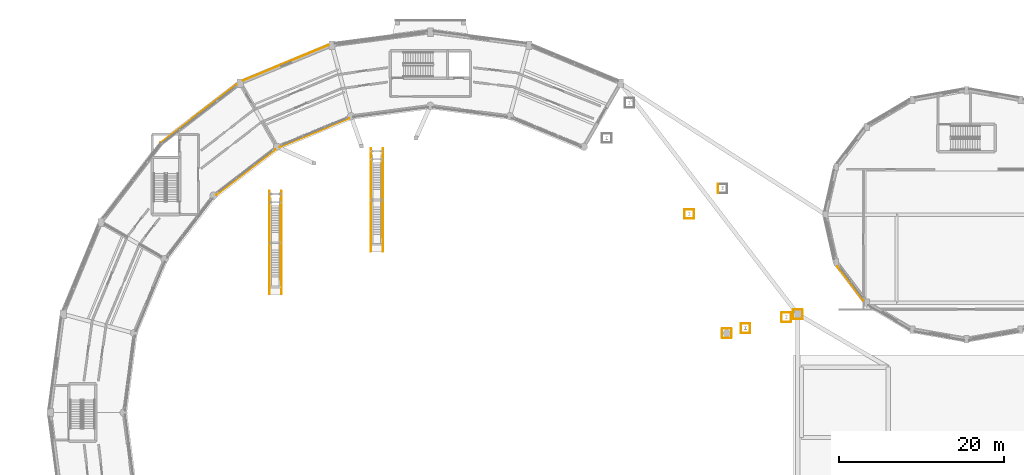
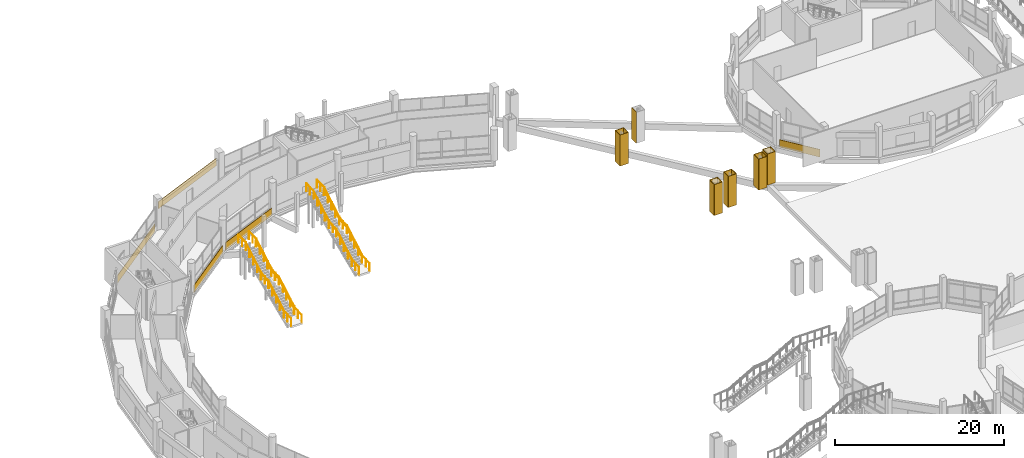
# One storey, part 122 of 129: 26 coverings, 8 railings.
"""IFC4 building model written with IfcOpenShell, lengths in metres."""

from ifc_helpers import new_model, si_unit, direction, frame, frame_2d, origin, origin_2d, place, context, subcontext, project, spatial, rectangle, circle, extrude, material, layer, layer_set, type_object, element, save


model = new_model("IFC4")

# Units and contexts
model_context = context("Model", 3, precision=1e-05, world=origin(), true_north=direction((0.0, 1.0)))
body_context = subcontext(model_context, "Body", "Model", "MODEL_VIEW")
ifc_project = project(units=[si_unit("LENGTHUNIT", "METRE"), si_unit("AREAUNIT", "SQUARE_METRE"), si_unit("VOLUMEUNIT", "CUBIC_METRE"), si_unit("PLANEANGLEUNIT", "RADIAN"), si_unit("MASSUNIT", "GRAM", prefix="KILO")], contexts=[model_context])

# Site, building, storey
site_placement = place(None, origin())
site = spatial("IfcSite", under=ifc_project, at=site_placement, CompositionType="ELEMENT")
building_placement = place(site_placement, origin())
building = spatial("IfcBuilding", under=site, at=building_placement, Name="Vespera Passage Community Centre", CompositionType="ELEMENT")
storey_placement = place(building_placement, origin())
storey = spatial("IfcBuildingStorey", under=building, at=storey_placement, Name="L00", CompositionType="ELEMENT", Elevation=0.0)

# Coverings
ifc_material_1 = material(Name="Precast concrete f'c 40 MPa", Category="concrete")
ifc_layer = layer(ifc_material_1, 0.06005859375)
ifc_layer_set = layer_set([ifc_layer], Name="Precast concrete f'c 40 MPa")
covering_type = type_object("IfcCoveringType", Name="COV-CLAD-60E", PredefinedType="CLADDING", material=ifc_layer_set)
covering_1_placement = place(storey_placement, frame((121.96923828125, 76.87158203125, 0.0), z_axis=(0.0, 0.0, 1.0), x_axis=(1.0, 0.0, 0.0)))
element("IfcCovering", 1, at=covering_1_placement, inside=storey, type_object=covering_type, Name="Pylon 1.0 O L00 White Architectural Casing 1", PredefinedType="CLADDING", context=body_context, shape_type="SweptSolid", body=[
    extrude(rectangle(XDim=1.119873046875, YDim=0.06005859375, at=frame_2d((0.56005859375, 0.0))), origin(), (0.0, 0.0, 1.0), 4.5),
])
covering_2_placement = place(storey_placement, frame((123.089111328125, 76.87158203125, 0.0), z_axis=(0.0, 0.0, 1.0), x_axis=(0.0, 1.0, 0.0)))
element("IfcCovering", 2, at=covering_2_placement, inside=storey, type_object=covering_type, Name="Pylon 1.0 O L00 White Architectural Casing 2", PredefinedType="CLADDING", context=body_context, shape_type="SweptSolid", body=[
    extrude(rectangle(XDim=1.1201171875, YDim=0.06005859375, at=frame_2d((0.56005859375, 0.0))), origin(), (0.0, 0.0, 1.0), 4.5),
])
covering_3_placement = place(storey_placement, frame((123.089111328125, 77.99169921875, 0.0), z_axis=(0.0, 0.0, 1.0), x_axis=(-1.0, 0.0, 0.0)))
element("IfcCovering", 3, at=covering_3_placement, inside=storey, type_object=covering_type, Name="Pylon 1.0 O L00 White Architectural Casing 3", PredefinedType="CLADDING", context=body_context, shape_type="SweptSolid", body=[
    extrude(rectangle(XDim=1.119873046875, YDim=0.06005859375, at=frame_2d((0.56005859375, 0.0))), origin(), (0.0, 0.0, 1.0), 4.5),
])
for number, where, z_axis, x_axis, name in (
    (4, (121.96923828125, 77.99169921875, 0.0), (0.0, 0.0, 1.0), (0.0, -1.0, 0.0), "Pylon 1.0 O L00 White Architectural Casing 4"),
    (5, (113.372314453125, 74.568115234375, 0.0), (0.0, 0.0, 1.0), (1.0, 0.0, 0.0), "Pylon 1.0 I L00 White Architectural Casing 1"),
):
    element("IfcCovering", number, at=place(storey_placement, frame(where, z_axis=z_axis, x_axis=x_axis)), inside=storey, type_object=covering_type, Name=name, PredefinedType="CLADDING", context=body_context, shape_type="SweptSolid", body=[
        extrude(rectangle(XDim=1.1201171875, YDim=0.06005859375, at=frame_2d((0.56005859375, 0.0))), origin(), (0.0, 0.0, 1.0), 4.5),
    ])
covering_4_placement = place(storey_placement, frame((114.492431640625, 74.568115234375, 0.0), z_axis=(0.0, 0.0, 1.0), x_axis=(0.0, 1.0, 0.0)))
element("IfcCovering", 6, at=covering_4_placement, inside=storey, type_object=covering_type, Name="Pylon 1.0 I L00 White Architectural Casing 2", PredefinedType="CLADDING", context=body_context, shape_type="SweptSolid", body=[
    extrude(rectangle(XDim=1.119873046875, YDim=0.06005859375, at=frame_2d((0.56005859375, 0.0))), origin(), (0.0, 0.0, 1.0), 4.5),
])
covering_5_placement = place(storey_placement, frame((114.492431640625, 75.68798828125, 0.0), z_axis=(0.0, 0.0, 1.0), x_axis=(-1.0, 0.0, 0.0)))
element("IfcCovering", 7, at=covering_5_placement, inside=storey, type_object=covering_type, Name="Pylon 1.0 I L00 White Architectural Casing 3", PredefinedType="CLADDING", context=body_context, shape_type="SweptSolid", body=[
    extrude(rectangle(XDim=1.1201171875, YDim=0.06005859375, at=frame_2d((0.56005859375, 0.0))), origin(), (0.0, 0.0, 1.0), 4.5),
])
covering_6_placement = place(storey_placement, frame((113.372314453125, 75.68798828125, 0.0), z_axis=(0.0, 0.0, 1.0), x_axis=(0.0, -1.0, 0.0)))
element("IfcCovering", 8, at=covering_6_placement, inside=storey, type_object=covering_type, Name="Pylon 1.0 I L00 White Architectural Casing 4", PredefinedType="CLADDING", context=body_context, shape_type="SweptSolid", body=[
    extrude(rectangle(XDim=1.119873046875, YDim=0.06005859375, at=frame_2d((0.56005859375, 0.0))), origin(), (0.0, 0.0, 1.0), 4.5),
])
covering_7_placement = place(storey_placement, frame((120.568603515625, 76.496337890625, 0.0), z_axis=(0.0, 0.0, 1.0), x_axis=(1.0, 0.0, 0.0)))
element("IfcCovering", 9, at=covering_7_placement, inside=storey, type_object=covering_type, Name="Pylon 1.0 TO L00 White Architectural Casing 1", PredefinedType="CLADDING", context=body_context, shape_type="SweptSolid", body=[
    extrude(rectangle(XDim=1.1201171875, YDim=0.06005859375, at=frame_2d((0.56005859375, 0.0))), origin(), (0.0, 0.0, 1.0), 4.5),
])
covering_8_placement = place(storey_placement, frame((121.688720703125, 76.496337890625, 0.0), z_axis=(0.0, 0.0, 1.0), x_axis=(0.0, 1.0, 0.0)))
element("IfcCovering", 10, at=covering_8_placement, inside=storey, type_object=covering_type, Name="Pylon 1.0 TO L00 White Architectural Casing 2", PredefinedType="CLADDING", context=body_context, shape_type="SweptSolid", body=[
    extrude(rectangle(XDim=1.119873046875, YDim=0.06005859375, at=frame_2d((0.56005859375, 0.0))), origin(), (0.0, 0.0, 1.0), 4.5),
])
covering_9_placement = place(storey_placement, frame((121.688720703125, 77.6162109375, 0.0), z_axis=(0.0, 0.0, 1.0), x_axis=(-1.0, 0.0, 0.0)))
element("IfcCovering", 11, at=covering_9_placement, inside=storey, type_object=covering_type, Name="Pylon 1.0 TO L00 White Architectural Casing 3", PredefinedType="CLADDING", context=body_context, shape_type="SweptSolid", body=[
    extrude(rectangle(XDim=1.1201171875, YDim=0.06005859375, at=frame_2d((0.56005859375, 0.0))), origin(), (0.0, 0.0, 1.0), 4.5),
])
covering_10_placement = place(storey_placement, frame((120.568603515625, 77.6162109375, 0.0), z_axis=(0.0, 0.0, 1.0), x_axis=(0.0, -1.0, 0.0)))
element("IfcCovering", 12, at=covering_10_placement, inside=storey, type_object=covering_type, Name="Pylon 1.0 TO L00 White Architectural Casing 4", PredefinedType="CLADDING", context=body_context, shape_type="SweptSolid", body=[
    extrude(rectangle(XDim=1.119873046875, YDim=0.06005859375, at=frame_2d((0.56005859375, 0.0))), origin(), (0.0, 0.0, 1.0), 4.5),
])
for number, where, z_axis, x_axis, name in (
    (13, (115.642333984375, 75.17626953125, 0.0), (0.0, 0.0, 1.0), (1.0, 0.0, 0.0), "Pylon 1.0 TI L00 White Architectural Casing 1"),
    (14, (116.762451171875, 75.17626953125, 0.0), (0.0, 0.0, 1.0), (0.0, 1.0, 0.0), "Pylon 1.0 TI L00 White Architectural Casing 2"),
    (15, (116.762451171875, 76.29638671875, 0.0), (0.0, 0.0, 1.0), (-1.0, 0.0, 0.0), "Pylon 1.0 TI L00 White Architectural Casing 3"),
    (16, (115.642333984375, 76.29638671875, 0.0), (0.0, 0.0, 1.0), (0.0, -1.0, 0.0), "Pylon 1.0 TI L00 White Architectural Casing 4"),
    (17, (112.86328125, 93.2412109375, 0.0), (0.0, 0.0, 1.0), (0.0, -1.0, 0.0), "Pylon 2.5 TO L00 White Architectural Casing 4"),
):
    element("IfcCovering", number, at=place(storey_placement, frame(where, z_axis=z_axis, x_axis=x_axis)), inside=storey, type_object=covering_type, Name=name, PredefinedType="CLADDING", context=body_context, shape_type="SweptSolid", body=[
        extrude(rectangle(XDim=1.1201171875, YDim=0.06005859375, at=frame_2d((0.56005859375, 0.0))), origin(), (0.0, 0.0, 1.0), 4.5),
    ])
for number, where, z_axis, x_axis, name in (
    (18, (108.817138671875, 89.0166015625, 0.0), (0.0, 0.0, 1.0), (1.0, 0.0, 0.0), "Pylon 2.5 TI L00 White Architectural Casing 1"),
    (19, (109.93701171875, 89.0166015625, 0.0), (0.0, 0.0, 1.0), (0.0, 1.0, 0.0), "Pylon 2.5 TI L00 White Architectural Casing 2"),
    (20, (109.93701171875, 90.136474609375, 0.0), (0.0, 0.0, 1.0), (-1.0, 0.0, 0.0), "Pylon 2.5 TI L00 White Architectural Casing 3"),
    (21, (108.817138671875, 90.136474609375, 0.0), (0.0, 0.0, 1.0), (0.0, -1.0, 0.0), "Pylon 2.5 TI L00 White Architectural Casing 4"),
):
    element("IfcCovering", number, at=place(storey_placement, frame(where, z_axis=z_axis, x_axis=x_axis)), inside=storey, type_object=covering_type, Name=name, PredefinedType="CLADDING", context=body_context, shape_type="SweptSolid", body=[
        extrude(rectangle(XDim=1.119873046875, YDim=0.06005859375, at=frame_2d((0.56005859375, 0.0))), origin(), (0.0, 0.0, 1.0), 4.5),
    ])
covering_11_placement = place(storey_placement, frame((55.229248046875, 105.7451171875, 2.419921875), z_axis=(0.0, 0.0, 1.0), x_axis=(0.923883530636, 0.382673779896, 0.0)))
element("IfcCovering", 22, at=covering_11_placement, inside=storey, type_object=covering_type, Name="V4 L00 Portal White Fascia O7", PredefinedType="CLADDING", context=body_context, shape_type="SweptSolid", body=[
    extrude(rectangle(XDim=11.2724609375, YDim=0.06005859375, at=frame_2d((5.63623046875, 0.0))), origin(), (0.0, 0.0, 1.0), 1.045654296875),
])
covering_12_placement = place(storey_placement, frame((68.154296875, 101.174560546875, -0.280029296875), z_axis=(0.0, 0.0, 1.0), x_axis=(-0.92387477551, -0.38269491658, 0.0)))
element("IfcCovering", 23, at=covering_12_placement, inside=storey, type_object=covering_type, Name="V4 L00 Inner Court White Spandrel Band I7", PredefinedType="CLADDING", context=body_context, shape_type="SweptSolid", body=[
    extrude(rectangle(XDim=9.11181640625, YDim=0.06005859375, at=frame_2d((4.555908203125, 0.0))), origin(), (0.0, 0.0, 1.0), 1.10009765625),
])
covering_13_placement = place(storey_placement, frame((45.298828125, 98.232421875, -0.280029296875), z_axis=(0.0, 0.0, 1.0), x_axis=(0.793347191248, 0.608769442514, 0.0)))
element("IfcCovering", 24, at=covering_13_placement, inside=storey, type_object=covering_type, Name="V4 L00 Outer White Spandrel Band O8", PredefinedType="CLADDING", context=body_context, shape_type="SweptSolid", body=[
    extrude(rectangle(XDim=11.5869140625, YDim=0.06005859375, at=frame_2d((5.79345703125, 0.0))), origin(), (0.0, 0.0, 1.0), 1.10009765625),
])
covering_14_placement = place(storey_placement, frame((59.214111328125, 97.378173828125, -0.280029296875), z_axis=(0.0, 0.0, 1.0), x_axis=(-0.793350132061, -0.608765610033, 0.0)))
element("IfcCovering", 25, at=covering_14_placement, inside=storey, type_object=covering_type, Name="V4 L00 Inner Court White Spandrel Band I8", PredefinedType="CLADDING", context=body_context, shape_type="SweptSolid", body=[
    extrude(rectangle(XDim=9.004638671875, YDim=0.06005859375, at=frame_2d((4.50244140625, 0.0))), origin(), (0.0, 0.0, 1.0), 1.10009765625),
])
covering_15_placement = place(storey_placement, frame((130.47216796875, 79.084716796875, -0.260009765625), z_axis=(0.0, 0.0, 1.0), x_axis=(-0.603398282319, 0.797439974477, 0.0)))
element("IfcCovering", 26, at=covering_15_placement, inside=storey, type_object=covering_type, Name="V2 L00 White Spandrel Band 10", PredefinedType="CLADDING", context=body_context, shape_type="SweptSolid", body=[
    extrude(rectangle(XDim=5.19873046875, YDim=0.06005859375, at=frame_2d((2.599365234375, 0.0))), origin(), (0.0, 0.0, 1.0), 1.110107421875),
])

# Railings
ifc_material_2 = material(Name="Steel ASTM A500 Grade C", Category="steel")
railing_type_1 = type_object("IfcRailingType", Name="RL-HAND-900I", PredefinedType="HANDRAIL", material=ifc_material_2)
railing_1_placement = place(storey_placement, frame((70.81494140625, 86.800048828125, 0.173095703125)))
element("IfcRailing", 27, at=railing_1_placement, inside=storey, type_object=railing_type_1, Name="ST-CRT-03 L Handrail", PredefinedType="HANDRAIL", context=body_context, shape_type="SweptSolid", body=[
    extrude(circle(Radius=0.02392578125, at=origin_2d()), frame((0.0, 0.0, 0.8759765625), z_axis=(0.0, 0.866178740119, 0.499734319579), x_axis=(-1.0, 0.0, 0.0)), (0.0, 0.0, 1.0), 4.156005859375),
    extrude(circle(Radius=0.02392578125, at=origin_2d()), frame((0.0, 3.599853515625, 2.95263671875), z_axis=(0.0, 0.995408287001, 0.095720124167), x_axis=(-1.0, 0.0, 0.0)), (0.0, 0.0, 1.0), 1.808349609375),
    extrude(circle(Radius=0.02392578125, at=origin_2d()), frame((0.0, 5.39990234375, 3.1259765625), z_axis=(0.0, 0.866193409371, 0.499708892819), x_axis=(-1.0, 0.0, 0.0)), (0.0, 0.0, 1.0), 4.15625),
    extrude(circle(Radius=0.02099609375, at=origin_2d()), origin(), (0.0, 0.0, 1.0), 0.851806640625),
    extrude(circle(Radius=0.02099609375, at=origin_2d()), frame((0.0, 0.89990234375, 0.519287109375)), (0.0, 0.0, 1.0), 0.851806640625),
    extrude(circle(Radius=0.02099609375, at=origin_2d()), frame((0.0, 1.7998046875, 1.03857421875)), (0.0, 0.0, 1.0), 0.851806640625),
    extrude(circle(Radius=0.02099609375, at=origin_2d()), frame((0.0, 2.699951171875, 1.5576171875)), (0.0, 0.0, 1.0), 0.851806640625),
    extrude(circle(Radius=0.02099609375, at=origin_2d()), frame((0.0, 3.599853515625, 2.076904296875)), (0.0, 0.0, 1.0), 0.851806640625),
    extrude(circle(Radius=0.02099609375, at=origin_2d()), frame((0.0, 4.5, 2.16357421875)), (0.0, 0.0, 1.0), 0.851806640625),
    extrude(circle(Radius=0.02099609375, at=origin_2d()), frame((0.0, 5.39990234375, 2.25)), (0.0, 0.0, 1.0), 0.851806640625),
    extrude(circle(Radius=0.02099609375, at=origin_2d()), frame((0.0, 6.2998046875, 2.769287109375)), (0.0, 0.0, 1.0), 0.851806640625),
    extrude(circle(Radius=0.02099609375, at=origin_2d()), frame((0.0, 7.199951171875, 3.28857421875)), (0.0, 0.0, 1.0), 0.851806640625),
    extrude(circle(Radius=0.02099609375, at=origin_2d()), frame((0.0, 8.10009765625, 3.8076171875)), (0.0, 0.0, 1.0), 0.851806640625),
    extrude(circle(Radius=0.02099609375, at=origin_2d()), frame((0.0, 9.0, 4.326904296875)), (0.0, 0.0, 1.0), 0.851806640625),
])
railing_2_placement = place(storey_placement, frame((72.18505859375, 86.800048828125, 0.173095703125)))
element("IfcRailing", 28, at=railing_2_placement, inside=storey, type_object=railing_type_1, Name="ST-CRT-03 R Handrail", PredefinedType="HANDRAIL", context=body_context, shape_type="SweptSolid", body=[
    extrude(circle(Radius=0.02392578125, at=origin_2d()), frame((0.0, 0.0, 0.8759765625), z_axis=(0.0, 0.866178740119, 0.499734319579), x_axis=(-1.0, 0.0, 0.0)), (0.0, 0.0, 1.0), 4.156005859375),
    extrude(circle(Radius=0.02392578125, at=origin_2d()), frame((0.0, 3.599853515625, 2.95263671875), z_axis=(0.0, 0.995408287001, 0.095720124167), x_axis=(-1.0, 0.0, 0.0)), (0.0, 0.0, 1.0), 1.808349609375),
    extrude(circle(Radius=0.02392578125, at=origin_2d()), frame((0.0, 5.39990234375, 3.1259765625), z_axis=(0.0, 0.866193409371, 0.499708892819), x_axis=(-1.0, 0.0, 0.0)), (0.0, 0.0, 1.0), 4.15625),
    extrude(circle(Radius=0.02099609375, at=origin_2d()), origin(), (0.0, 0.0, 1.0), 0.851806640625),
    extrude(circle(Radius=0.02099609375, at=origin_2d()), frame((0.0, 0.89990234375, 0.519287109375)), (0.0, 0.0, 1.0), 0.851806640625),
    extrude(circle(Radius=0.02099609375, at=origin_2d()), frame((0.0, 1.7998046875, 1.03857421875)), (0.0, 0.0, 1.0), 0.851806640625),
    extrude(circle(Radius=0.02099609375, at=origin_2d()), frame((0.0, 2.699951171875, 1.5576171875)), (0.0, 0.0, 1.0), 0.851806640625),
    extrude(circle(Radius=0.02099609375, at=origin_2d()), frame((0.0, 3.599853515625, 2.076904296875)), (0.0, 0.0, 1.0), 0.851806640625),
    extrude(circle(Radius=0.02099609375, at=origin_2d()), frame((0.0, 4.5, 2.16357421875)), (0.0, 0.0, 1.0), 0.851806640625),
    extrude(circle(Radius=0.02099609375, at=origin_2d()), frame((0.0, 5.39990234375, 2.25)), (0.0, 0.0, 1.0), 0.851806640625),
    extrude(circle(Radius=0.02099609375, at=origin_2d()), frame((0.0, 6.2998046875, 2.769287109375)), (0.0, 0.0, 1.0), 0.851806640625),
    extrude(circle(Radius=0.02099609375, at=origin_2d()), frame((0.0, 7.199951171875, 3.28857421875)), (0.0, 0.0, 1.0), 0.851806640625),
    extrude(circle(Radius=0.02099609375, at=origin_2d()), frame((0.0, 8.10009765625, 3.8076171875)), (0.0, 0.0, 1.0), 0.851806640625),
    extrude(circle(Radius=0.02099609375, at=origin_2d()), frame((0.0, 9.0, 4.326904296875)), (0.0, 0.0, 1.0), 0.851806640625),
])
railing_3_placement = place(storey_placement, frame((58.514892578125, 81.60009765625, 0.173095703125)))
element("IfcRailing", 29, at=railing_3_placement, inside=storey, type_object=railing_type_1, Name="ST-CRT-04 L Handrail", PredefinedType="HANDRAIL", context=body_context, shape_type="SweptSolid", body=[
    extrude(circle(Radius=0.02392578125, at=origin_2d()), frame((0.0, 0.0, 0.8759765625), z_axis=(0.0, 0.866178740119, 0.499734319579), x_axis=(-1.0, 0.0, 0.0)), (0.0, 0.0, 1.0), 4.156005859375),
    extrude(circle(Radius=0.02392578125, at=origin_2d()), frame((0.0, 3.599853515625, 2.95263671875), z_axis=(0.0, 0.995408287001, 0.095720124167), x_axis=(-1.0, 0.0, 0.0)), (0.0, 0.0, 1.0), 1.808349609375),
    extrude(circle(Radius=0.02392578125, at=origin_2d()), frame((0.0, 5.39990234375, 3.1259765625), z_axis=(0.0, 0.866193409371, 0.499708892819), x_axis=(-1.0, 0.0, 0.0)), (0.0, 0.0, 1.0), 4.15625),
    extrude(circle(Radius=0.02099609375, at=origin_2d()), origin(), (0.0, 0.0, 1.0), 0.851806640625),
    extrude(circle(Radius=0.02099609375, at=origin_2d()), frame((0.0, 0.89990234375, 0.519287109375)), (0.0, 0.0, 1.0), 0.851806640625),
    extrude(circle(Radius=0.02099609375, at=origin_2d()), frame((0.0, 1.7998046875, 1.03857421875)), (0.0, 0.0, 1.0), 0.851806640625),
    extrude(circle(Radius=0.02099609375, at=origin_2d()), frame((0.0, 2.699951171875, 1.5576171875)), (0.0, 0.0, 1.0), 0.851806640625),
    extrude(circle(Radius=0.02099609375, at=origin_2d()), frame((0.0, 3.599853515625, 2.076904296875)), (0.0, 0.0, 1.0), 0.851806640625),
    extrude(circle(Radius=0.02099609375, at=origin_2d()), frame((0.0, 4.5, 2.16357421875)), (0.0, 0.0, 1.0), 0.851806640625),
    extrude(circle(Radius=0.02099609375, at=origin_2d()), frame((0.0, 5.39990234375, 2.25)), (0.0, 0.0, 1.0), 0.851806640625),
    extrude(circle(Radius=0.02099609375, at=origin_2d()), frame((0.0, 6.2998046875, 2.769287109375)), (0.0, 0.0, 1.0), 0.851806640625),
    extrude(circle(Radius=0.02099609375, at=origin_2d()), frame((0.0, 7.199951171875, 3.28857421875)), (0.0, 0.0, 1.0), 0.851806640625),
    extrude(circle(Radius=0.02099609375, at=origin_2d()), frame((0.0, 8.10009765625, 3.8076171875)), (0.0, 0.0, 1.0), 0.851806640625),
    extrude(circle(Radius=0.02099609375, at=origin_2d()), frame((0.0, 9.0, 4.326904296875)), (0.0, 0.0, 1.0), 0.851806640625),
])
railing_4_placement = place(storey_placement, frame((59.885009765625, 81.60009765625, 0.173095703125)))
element("IfcRailing", 30, at=railing_4_placement, inside=storey, type_object=railing_type_1, Name="ST-CRT-04 R Handrail", PredefinedType="HANDRAIL", context=body_context, shape_type="SweptSolid", body=[
    extrude(circle(Radius=0.02392578125, at=origin_2d()), frame((0.0, 0.0, 0.8759765625), z_axis=(0.0, 0.866178740119, 0.499734319579), x_axis=(-1.0, 0.0, 0.0)), (0.0, 0.0, 1.0), 4.156005859375),
    extrude(circle(Radius=0.02392578125, at=origin_2d()), frame((0.0, 3.599853515625, 2.95263671875), z_axis=(0.0, 0.995408287001, 0.095720124167), x_axis=(-1.0, 0.0, 0.0)), (0.0, 0.0, 1.0), 1.808349609375),
    extrude(circle(Radius=0.02392578125, at=origin_2d()), frame((0.0, 5.39990234375, 3.1259765625), z_axis=(0.0, 0.866193409371, 0.499708892819), x_axis=(-1.0, 0.0, 0.0)), (0.0, 0.0, 1.0), 4.15625),
    extrude(circle(Radius=0.02099609375, at=origin_2d()), origin(), (0.0, 0.0, 1.0), 0.851806640625),
    extrude(circle(Radius=0.02099609375, at=origin_2d()), frame((0.0, 0.89990234375, 0.519287109375)), (0.0, 0.0, 1.0), 0.851806640625),
    extrude(circle(Radius=0.02099609375, at=origin_2d()), frame((0.0, 1.7998046875, 1.03857421875)), (0.0, 0.0, 1.0), 0.851806640625),
    extrude(circle(Radius=0.02099609375, at=origin_2d()), frame((0.0, 2.699951171875, 1.5576171875)), (0.0, 0.0, 1.0), 0.851806640625),
    extrude(circle(Radius=0.02099609375, at=origin_2d()), frame((0.0, 3.599853515625, 2.076904296875)), (0.0, 0.0, 1.0), 0.851806640625),
    extrude(circle(Radius=0.02099609375, at=origin_2d()), frame((0.0, 4.5, 2.16357421875)), (0.0, 0.0, 1.0), 0.851806640625),
    extrude(circle(Radius=0.02099609375, at=origin_2d()), frame((0.0, 5.39990234375, 2.25)), (0.0, 0.0, 1.0), 0.851806640625),
    extrude(circle(Radius=0.02099609375, at=origin_2d()), frame((0.0, 6.2998046875, 2.769287109375)), (0.0, 0.0, 1.0), 0.851806640625),
    extrude(circle(Radius=0.02099609375, at=origin_2d()), frame((0.0, 7.199951171875, 3.28857421875)), (0.0, 0.0, 1.0), 0.851806640625),
    extrude(circle(Radius=0.02099609375, at=origin_2d()), frame((0.0, 8.10009765625, 3.8076171875)), (0.0, 0.0, 1.0), 0.851806640625),
    extrude(circle(Radius=0.02099609375, at=origin_2d()), frame((0.0, 9.0, 4.326904296875)), (0.0, 0.0, 1.0), 0.851806640625),
])
ifc_material_3 = material(Name="Steel ASTM A500 Grade C", Category="steel")
railing_type_2 = type_object("IfcRailingType", Name="RL-STAIR-1100I", PredefinedType="GUARDRAIL", material=ifc_material_3)
railing_5_placement = place(storey_placement, frame((70.77490234375, 85.050048828125, 0.0)))
element("IfcRailing", 31, at=railing_5_placement, inside=storey, type_object=railing_type_2, Name="ST-CRT-03 L Guard", PredefinedType="GUARDRAIL", context=body_context, shape_type="SweptSolid", body=[
    extrude(circle(Radius=0.02392578125, at=origin_2d()), frame((0.0, 0.0, 1.09619140625), z_axis=(0.0, 0.995143828942, 0.098431497589), x_axis=(-1.0, 0.0, 0.0)), (0.0, 0.0, 1.0), 1.758544921875),
    extrude(circle(Radius=0.02392578125, at=origin_2d()), frame((0.0, 1.75, 1.26904296875), z_axis=(0.0, 0.866178740119, 0.499734319579), x_axis=(-1.0, 0.0, 0.0)), (0.0, 0.0, 1.0), 4.156005859375),
    extrude(circle(Radius=0.02392578125, at=origin_2d()), frame((0.0, 5.349853515625, 3.34619140625), z_axis=(0.0, 0.995408287001, 0.095720124167), x_axis=(-1.0, 0.0, 0.0)), (0.0, 0.0, 1.0), 1.808349609375),
    extrude(circle(Radius=0.02392578125, at=origin_2d()), frame((0.0, 7.14990234375, 3.51904296875), z_axis=(0.0, 0.866193409371, 0.499708892819), x_axis=(-1.0, 0.0, 0.0)), (0.0, 0.0, 1.0), 4.15625),
    extrude(circle(Radius=0.02392578125, at=origin_2d()), frame((0.0, 10.75, 5.59619140625), z_axis=(0.0, 1.0, 0.0), x_axis=(-1.0, 0.0, 0.0)), (0.0, 0.0, 1.0), 1.75),
    extrude(circle(Radius=0.02099609375, at=origin_2d()), origin(), (0.0, 0.0, 1.0), 1.072021484375),
    extrude(circle(Radius=0.02099609375, at=origin_2d()), frame((0.0, 0.875, 0.08642578125)), (0.0, 0.0, 1.0), 1.072021484375),
    extrude(circle(Radius=0.02099609375, at=origin_2d()), frame((0.0, 1.75, 0.173095703125)), (0.0, 0.0, 1.0), 1.072021484375),
    extrude(circle(Radius=0.02099609375, at=origin_2d()), frame((0.0, 2.64990234375, 0.6923828125)), (0.0, 0.0, 1.0), 1.072021484375),
    extrude(circle(Radius=0.02099609375, at=origin_2d()), frame((0.0, 3.5498046875, 1.21142578125)), (0.0, 0.0, 1.0), 1.072021484375),
    extrude(circle(Radius=0.02099609375, at=origin_2d()), frame((0.0, 4.449951171875, 1.730712890625)), (0.0, 0.0, 1.0), 1.072021484375),
    extrude(circle(Radius=0.02099609375, at=origin_2d()), frame((0.0, 5.349853515625, 2.25)), (0.0, 0.0, 1.0), 1.072021484375),
    extrude(circle(Radius=0.02099609375, at=origin_2d()), frame((0.0, 6.25, 2.33642578125)), (0.0, 0.0, 1.0), 1.072021484375),
    extrude(circle(Radius=0.02099609375, at=origin_2d()), frame((0.0, 7.14990234375, 2.423095703125)), (0.0, 0.0, 1.0), 1.072021484375),
    extrude(circle(Radius=0.02099609375, at=origin_2d()), frame((0.0, 8.0498046875, 2.9423828125)), (0.0, 0.0, 1.0), 1.072021484375),
    extrude(circle(Radius=0.02099609375, at=origin_2d()), frame((0.0, 8.949951171875, 3.46142578125)), (0.0, 0.0, 1.0), 1.072021484375),
    extrude(circle(Radius=0.02099609375, at=origin_2d()), frame((0.0, 9.85009765625, 3.980712890625)), (0.0, 0.0, 1.0), 1.072021484375),
    extrude(circle(Radius=0.02099609375, at=origin_2d()), frame((0.0, 10.75, 4.5)), (0.0, 0.0, 1.0), 1.072021484375),
    extrude(circle(Radius=0.02099609375, at=origin_2d()), frame((0.0, 11.625, 4.5)), (0.0, 0.0, 1.0), 1.072021484375),
    extrude(circle(Radius=0.02099609375, at=origin_2d()), frame((0.0, 12.5, 4.5)), (0.0, 0.0, 1.0), 1.072021484375),
])
railing_6_placement = place(storey_placement, frame((72.22509765625, 85.050048828125, 0.0)))
element("IfcRailing", 32, at=railing_6_placement, inside=storey, type_object=railing_type_2, Name="ST-CRT-03 R Guard", PredefinedType="GUARDRAIL", context=body_context, shape_type="SweptSolid", body=[
    extrude(circle(Radius=0.02392578125, at=origin_2d()), frame((0.0, 0.0, 1.09619140625), z_axis=(0.0, 0.995143828942, 0.098431497589), x_axis=(-1.0, 0.0, 0.0)), (0.0, 0.0, 1.0), 1.758544921875),
    extrude(circle(Radius=0.02392578125, at=origin_2d()), frame((0.0, 1.75, 1.26904296875), z_axis=(0.0, 0.866178740119, 0.499734319579), x_axis=(-1.0, 0.0, 0.0)), (0.0, 0.0, 1.0), 4.156005859375),
    extrude(circle(Radius=0.02392578125, at=origin_2d()), frame((0.0, 5.349853515625, 3.34619140625), z_axis=(0.0, 0.995408287001, 0.095720124167), x_axis=(-1.0, 0.0, 0.0)), (0.0, 0.0, 1.0), 1.808349609375),
    extrude(circle(Radius=0.02392578125, at=origin_2d()), frame((0.0, 7.14990234375, 3.51904296875), z_axis=(0.0, 0.866193409371, 0.499708892819), x_axis=(-1.0, 0.0, 0.0)), (0.0, 0.0, 1.0), 4.15625),
    extrude(circle(Radius=0.02392578125, at=origin_2d()), frame((0.0, 10.75, 5.59619140625), z_axis=(0.0, 1.0, 0.0), x_axis=(-1.0, 0.0, 0.0)), (0.0, 0.0, 1.0), 1.75),
    extrude(circle(Radius=0.02099609375, at=origin_2d()), origin(), (0.0, 0.0, 1.0), 1.072021484375),
    extrude(circle(Radius=0.02099609375, at=origin_2d()), frame((0.0, 0.875, 0.08642578125)), (0.0, 0.0, 1.0), 1.072021484375),
    extrude(circle(Radius=0.02099609375, at=origin_2d()), frame((0.0, 1.75, 0.173095703125)), (0.0, 0.0, 1.0), 1.072021484375),
    extrude(circle(Radius=0.02099609375, at=origin_2d()), frame((0.0, 2.64990234375, 0.6923828125)), (0.0, 0.0, 1.0), 1.072021484375),
    extrude(circle(Radius=0.02099609375, at=origin_2d()), frame((0.0, 3.5498046875, 1.21142578125)), (0.0, 0.0, 1.0), 1.072021484375),
    extrude(circle(Radius=0.02099609375, at=origin_2d()), frame((0.0, 4.449951171875, 1.730712890625)), (0.0, 0.0, 1.0), 1.072021484375),
    extrude(circle(Radius=0.02099609375, at=origin_2d()), frame((0.0, 5.349853515625, 2.25)), (0.0, 0.0, 1.0), 1.072021484375),
    extrude(circle(Radius=0.02099609375, at=origin_2d()), frame((0.0, 6.25, 2.33642578125)), (0.0, 0.0, 1.0), 1.072021484375),
    extrude(circle(Radius=0.02099609375, at=origin_2d()), frame((0.0, 7.14990234375, 2.423095703125)), (0.0, 0.0, 1.0), 1.072021484375),
    extrude(circle(Radius=0.02099609375, at=origin_2d()), frame((0.0, 8.0498046875, 2.9423828125)), (0.0, 0.0, 1.0), 1.072021484375),
    extrude(circle(Radius=0.02099609375, at=origin_2d()), frame((0.0, 8.949951171875, 3.46142578125)), (0.0, 0.0, 1.0), 1.072021484375),
    extrude(circle(Radius=0.02099609375, at=origin_2d()), frame((0.0, 9.85009765625, 3.980712890625)), (0.0, 0.0, 1.0), 1.072021484375),
    extrude(circle(Radius=0.02099609375, at=origin_2d()), frame((0.0, 10.75, 4.5)), (0.0, 0.0, 1.0), 1.072021484375),
    extrude(circle(Radius=0.02099609375, at=origin_2d()), frame((0.0, 11.625, 4.5)), (0.0, 0.0, 1.0), 1.072021484375),
    extrude(circle(Radius=0.02099609375, at=origin_2d()), frame((0.0, 12.5, 4.5)), (0.0, 0.0, 1.0), 1.072021484375),
])
railing_7_placement = place(storey_placement, frame((58.47509765625, 79.85009765625, 0.0)))
element("IfcRailing", 33, at=railing_7_placement, inside=storey, type_object=railing_type_2, Name="ST-CRT-04 L Guard", PredefinedType="GUARDRAIL", context=body_context, shape_type="SweptSolid", body=[
    extrude(circle(Radius=0.02392578125, at=origin_2d()), frame((0.0, 0.0, 1.09619140625), z_axis=(0.0, 0.995143828942, 0.098431497589), x_axis=(-1.0, 0.0, 0.0)), (0.0, 0.0, 1.0), 1.758544921875),
    extrude(circle(Radius=0.02392578125, at=origin_2d()), frame((0.0, 1.75, 1.26904296875), z_axis=(0.0, 0.866178740119, 0.499734319579), x_axis=(-1.0, 0.0, 0.0)), (0.0, 0.0, 1.0), 4.156005859375),
    extrude(circle(Radius=0.02392578125, at=origin_2d()), frame((0.0, 5.349853515625, 3.34619140625), z_axis=(0.0, 0.995408287001, 0.095720124167), x_axis=(-1.0, 0.0, 0.0)), (0.0, 0.0, 1.0), 1.808349609375),
    extrude(circle(Radius=0.02392578125, at=origin_2d()), frame((0.0, 7.14990234375, 3.51904296875), z_axis=(0.0, 0.866193409371, 0.499708892819), x_axis=(-1.0, 0.0, 0.0)), (0.0, 0.0, 1.0), 4.15625),
    extrude(circle(Radius=0.02392578125, at=origin_2d()), frame((0.0, 10.75, 5.59619140625), z_axis=(0.0, 1.0, 0.0), x_axis=(-1.0, 0.0, 0.0)), (0.0, 0.0, 1.0), 1.75),
    extrude(circle(Radius=0.02099609375, at=origin_2d()), origin(), (0.0, 0.0, 1.0), 1.072021484375),
    extrude(circle(Radius=0.02099609375, at=origin_2d()), frame((0.0, 0.875, 0.08642578125)), (0.0, 0.0, 1.0), 1.072021484375),
    extrude(circle(Radius=0.02099609375, at=origin_2d()), frame((0.0, 1.75, 0.173095703125)), (0.0, 0.0, 1.0), 1.072021484375),
    extrude(circle(Radius=0.02099609375, at=origin_2d()), frame((0.0, 2.64990234375, 0.6923828125)), (0.0, 0.0, 1.0), 1.072021484375),
    extrude(circle(Radius=0.02099609375, at=origin_2d()), frame((0.0, 3.5498046875, 1.21142578125)), (0.0, 0.0, 1.0), 1.072021484375),
    extrude(circle(Radius=0.02099609375, at=origin_2d()), frame((0.0, 4.449951171875, 1.730712890625)), (0.0, 0.0, 1.0), 1.072021484375),
    extrude(circle(Radius=0.02099609375, at=origin_2d()), frame((0.0, 5.349853515625, 2.25)), (0.0, 0.0, 1.0), 1.072021484375),
    extrude(circle(Radius=0.02099609375, at=origin_2d()), frame((0.0, 6.25, 2.33642578125)), (0.0, 0.0, 1.0), 1.072021484375),
    extrude(circle(Radius=0.02099609375, at=origin_2d()), frame((0.0, 7.14990234375, 2.423095703125)), (0.0, 0.0, 1.0), 1.072021484375),
    extrude(circle(Radius=0.02099609375, at=origin_2d()), frame((0.0, 8.0498046875, 2.9423828125)), (0.0, 0.0, 1.0), 1.072021484375),
    extrude(circle(Radius=0.02099609375, at=origin_2d()), frame((0.0, 8.949951171875, 3.46142578125)), (0.0, 0.0, 1.0), 1.072021484375),
    extrude(circle(Radius=0.02099609375, at=origin_2d()), frame((0.0, 9.85009765625, 3.980712890625)), (0.0, 0.0, 1.0), 1.072021484375),
    extrude(circle(Radius=0.02099609375, at=origin_2d()), frame((0.0, 10.75, 4.5)), (0.0, 0.0, 1.0), 1.072021484375),
    extrude(circle(Radius=0.02099609375, at=origin_2d()), frame((0.0, 11.625, 4.5)), (0.0, 0.0, 1.0), 1.072021484375),
    extrude(circle(Radius=0.02099609375, at=origin_2d()), frame((0.0, 12.5, 4.5)), (0.0, 0.0, 1.0), 1.072021484375),
])
railing_8_placement = place(storey_placement, frame((59.925048828125, 79.85009765625, 0.0)))
element("IfcRailing", 34, at=railing_8_placement, inside=storey, type_object=railing_type_2, Name="ST-CRT-04 R Guard", PredefinedType="GUARDRAIL", context=body_context, shape_type="SweptSolid", body=[
    extrude(circle(Radius=0.02392578125, at=origin_2d()), frame((0.0, 0.0, 1.09619140625), z_axis=(0.0, 0.995143828942, 0.098431497589), x_axis=(-1.0, 0.0, 0.0)), (0.0, 0.0, 1.0), 1.758544921875),
    extrude(circle(Radius=0.02392578125, at=origin_2d()), frame((0.0, 1.75, 1.26904296875), z_axis=(0.0, 0.866178740119, 0.499734319579), x_axis=(-1.0, 0.0, 0.0)), (0.0, 0.0, 1.0), 4.156005859375),
    extrude(circle(Radius=0.02392578125, at=origin_2d()), frame((0.0, 5.349853515625, 3.34619140625), z_axis=(0.0, 0.995408287001, 0.095720124167), x_axis=(-1.0, 0.0, 0.0)), (0.0, 0.0, 1.0), 1.808349609375),
    extrude(circle(Radius=0.02392578125, at=origin_2d()), frame((0.0, 7.14990234375, 3.51904296875), z_axis=(0.0, 0.866193409371, 0.499708892819), x_axis=(-1.0, 0.0, 0.0)), (0.0, 0.0, 1.0), 4.15625),
    extrude(circle(Radius=0.02392578125, at=origin_2d()), frame((0.0, 10.75, 5.59619140625), z_axis=(0.0, 1.0, 0.0), x_axis=(-1.0, 0.0, 0.0)), (0.0, 0.0, 1.0), 1.75),
    extrude(circle(Radius=0.02099609375, at=origin_2d()), origin(), (0.0, 0.0, 1.0), 1.072021484375),
    extrude(circle(Radius=0.02099609375, at=origin_2d()), frame((0.0, 0.875, 0.08642578125)), (0.0, 0.0, 1.0), 1.072021484375),
    extrude(circle(Radius=0.02099609375, at=origin_2d()), frame((0.0, 1.75, 0.173095703125)), (0.0, 0.0, 1.0), 1.072021484375),
    extrude(circle(Radius=0.02099609375, at=origin_2d()), frame((0.0, 2.64990234375, 0.6923828125)), (0.0, 0.0, 1.0), 1.072021484375),
    extrude(circle(Radius=0.02099609375, at=origin_2d()), frame((0.0, 3.5498046875, 1.21142578125)), (0.0, 0.0, 1.0), 1.072021484375),
    extrude(circle(Radius=0.02099609375, at=origin_2d()), frame((0.0, 4.449951171875, 1.730712890625)), (0.0, 0.0, 1.0), 1.072021484375),
    extrude(circle(Radius=0.02099609375, at=origin_2d()), frame((0.0, 5.349853515625, 2.25)), (0.0, 0.0, 1.0), 1.072021484375),
    extrude(circle(Radius=0.02099609375, at=origin_2d()), frame((0.0, 6.25, 2.33642578125)), (0.0, 0.0, 1.0), 1.072021484375),
    extrude(circle(Radius=0.02099609375, at=origin_2d()), frame((0.0, 7.14990234375, 2.423095703125)), (0.0, 0.0, 1.0), 1.072021484375),
    extrude(circle(Radius=0.02099609375, at=origin_2d()), frame((0.0, 8.0498046875, 2.9423828125)), (0.0, 0.0, 1.0), 1.072021484375),
    extrude(circle(Radius=0.02099609375, at=origin_2d()), frame((0.0, 8.949951171875, 3.46142578125)), (0.0, 0.0, 1.0), 1.072021484375),
    extrude(circle(Radius=0.02099609375, at=origin_2d()), frame((0.0, 9.85009765625, 3.980712890625)), (0.0, 0.0, 1.0), 1.072021484375),
    extrude(circle(Radius=0.02099609375, at=origin_2d()), frame((0.0, 10.75, 4.5)), (0.0, 0.0, 1.0), 1.072021484375),
    extrude(circle(Radius=0.02099609375, at=origin_2d()), frame((0.0, 11.625, 4.5)), (0.0, 0.0, 1.0), 1.072021484375),
    extrude(circle(Radius=0.02099609375, at=origin_2d()), frame((0.0, 12.5, 4.5)), (0.0, 0.0, 1.0), 1.072021484375),
])

save(model, "model.ifc")
